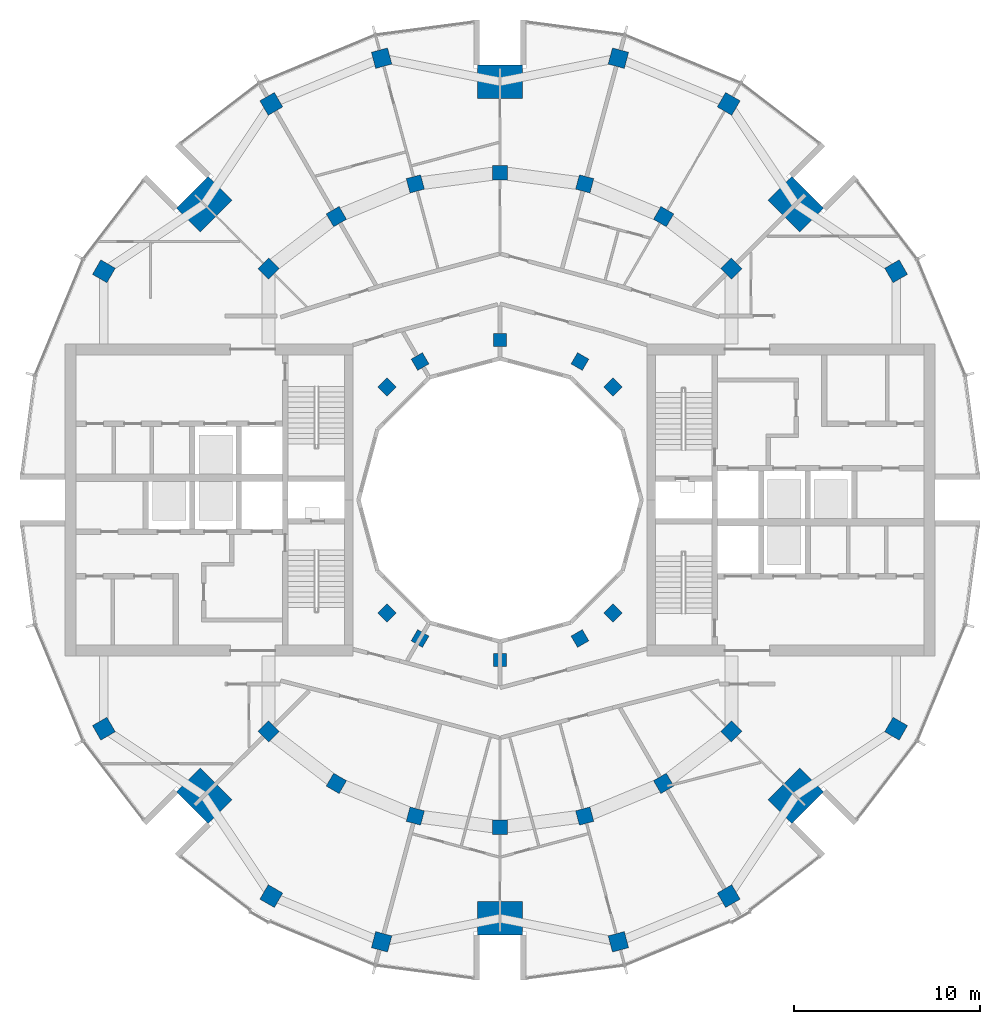
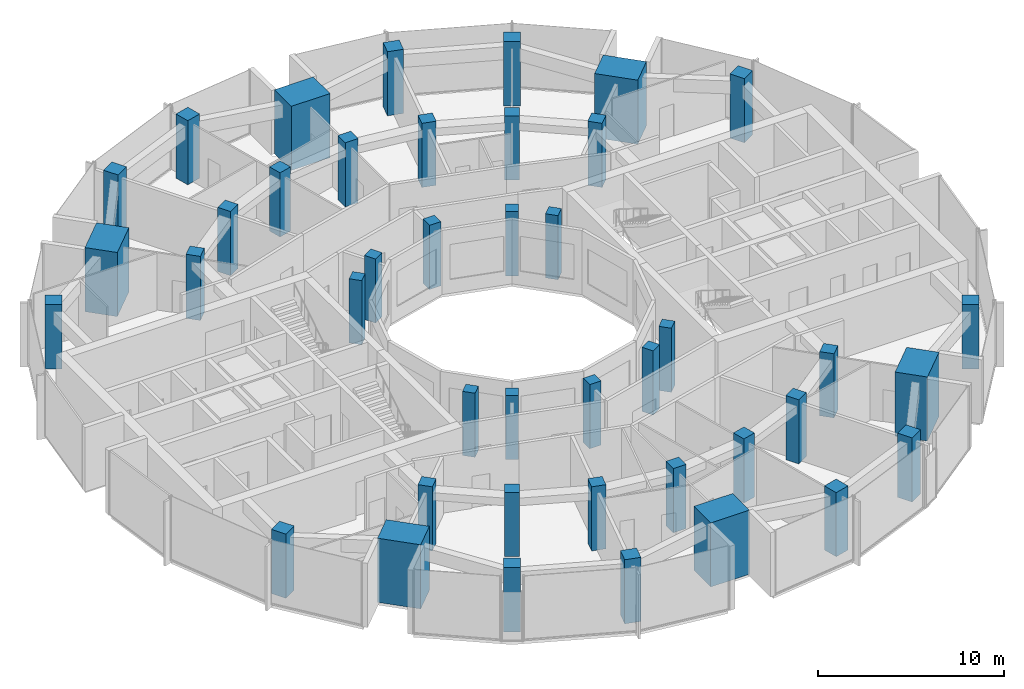
# One storey, part 1 of 15: 42 columns.
"""IFC4 building model written with IfcOpenShell, lengths in metres."""

from ifc_helpers import new_model, si_unit, direction, frame, origin, origin_2d, place, context, subcontext, project, spatial, rectangle, extrude, material, material_profile, profile_set, type_object, element, save


model = new_model("IFC4")

# Units and contexts
model_context = context("Model", 3, precision=1e-05, world=origin(), true_north=direction((0.0, 1.0)))
body_context = subcontext(model_context, "Body", "Model", "MODEL_VIEW")
ifc_project = project(units=[si_unit("LENGTHUNIT", "METRE"), si_unit("AREAUNIT", "SQUARE_METRE"), si_unit("VOLUMEUNIT", "CUBIC_METRE"), si_unit("PLANEANGLEUNIT", "RADIAN"), si_unit("MASSUNIT", "GRAM", prefix="KILO")], contexts=[model_context])

# Site, building, storey
site_placement = place(None, origin())
site = spatial("IfcSite", under=ifc_project, at=site_placement, CompositionType="ELEMENT")
building_placement = place(site_placement, origin())
building = spatial("IfcBuilding", under=site, at=building_placement, Name="Torre Brocal", CompositionType="ELEMENT")
storey_placement = place(building_placement, frame((0.0, 0.0, 266.699951171875)))
storey = spatial("IfcBuildingStorey", under=building, at=storey_placement, Name="L61", CompositionType="ELEMENT", Elevation=266.699951171875)

# Columns
ifc_material_1 = material(Name="Concrete C60", Category="concrete")
ifc_material_profile_1 = material_profile(ifc_material_1, rectangle(XDim=1.800048828125, YDim=2.39990234375, at=origin_2d()), Name="RC 1800X2400")
ifc_profile_set_1 = profile_set([ifc_material_profile_1], Name="Concrete C60")
column_type_1 = type_object("IfcColumnType", Name="RC COLUMN 1800X2400 C60", PredefinedType="COLUMN", material=ifc_profile_set_1)
for number, where, z_axis, x_axis, name in (
    (1, (95.909912109375, 90.909912109375, 0.0), (0.0, 0.0, 1.0), (0.707106781187, 0.707106781187, 0.0), "Column MC-1"),
    (2, (80.0, 97.5, 0.0), (0.0, 0.0, 1.0), (0.0, 1.0, 0.0), "Column MC-2"),
    (3, (64.090087890625, 90.909912109375, 0.0), (0.0, 0.0, 1.0), (-0.707106781187, 0.707106781187, 0.0), "Column MC-3"),
    (4, (64.090087890625, 59.090087890625, 0.0), (0.0, 0.0, 1.0), (-0.707106781187, -0.707106781187, 0.0), "Column MC-5"),
    (5, (80.0, 52.5, 0.0), (0.0, 0.0, 1.0), (0.0, -1.0, 0.0), "Column MC-6"),
    (6, (95.909912109375, 59.090087890625, 0.0), (0.0, 0.0, 1.0), (0.707106781187, -0.707106781187, 0.0), "Column MC-7"),
):
    element("IfcColumn", number, at=place(storey_placement, frame(where, z_axis=z_axis, x_axis=x_axis)), inside=storey, type_object=column_type_1, Name=name, PredefinedType="COLUMN", context=body_context, shape_type="SweptSolid", body=[
        extrude(rectangle(XDim=1.800048828125, YDim=2.39990234375, at=origin_2d()), origin(), (0.0, 0.0, 1.0), 4.199951171875),
    ])
ifc_material_2 = material(Name="Concrete C60", Category="concrete")
ifc_material_profile_2 = material_profile(ifc_material_2, rectangle(XDim=0.699951171875, YDim=0.699951171875, at=origin_2d()), Name="RC 700X700")
ifc_profile_set_2 = profile_set([ifc_material_profile_2], Name="Concrete C60")
column_type_2 = type_object("IfcColumnType", Name="RC COLUMN 700X700 C60", PredefinedType="COLUMN", material=ifc_profile_set_2)
for number, where, z_axis, x_axis, name in (
    (7, (86.0810546875, 81.0810546875, 0.0), (0.0, 0.0, 1.0), (0.707106781187, 0.707106781187, 0.0), "Column C-I03"),
    (8, (84.300048828125, 82.44775390625, 0.0), (0.0, 0.0, 1.0), (0.5, 0.866025403784, 0.0), "Column C-I04"),
    (9, (80.0, 83.60009765625, 0.0), (0.0, 0.0, 1.0), (0.0, 1.0, 0.0), "Column C-I06"),
    (10, (75.699951171875, 82.44775390625, 0.0), (0.0, 0.0, 1.0), (-0.5, 0.866025403784, 0.0), "Column C-I08"),
    (11, (73.9189453125, 81.0810546875, 0.0), (0.0, 0.0, 1.0), (-0.707106781187, 0.707106781187, 0.0), "Column C-I09"),
    (12, (73.9189453125, 68.9189453125, 0.0), (0.0, 0.0, 1.0), (-0.707106781187, -0.707106781187, 0.0), "Column C-I15"),
    (13, (75.699951171875, 67.55224609375, 0.0), (0.0, 0.0, 1.0), (-0.5, -0.866025403784, 0.0), "Column C-I16"),
    (14, (80.0, 66.39990234375, 0.0), (0.0, 0.0, 1.0), (0.0, -1.0, 0.0), "Column C-I18"),
    (15, (84.300048828125, 67.55224609375, 0.0), (0.0, 0.0, 1.0), (0.5, -0.866025403784, 0.0), "Column C-I20"),
    (16, (86.0810546875, 68.9189453125, 0.0), (0.0, 0.0, 1.0), (0.707106781187, -0.707106781187, 0.0), "Column C-I21"),
):
    element("IfcColumn", number, at=place(storey_placement, frame(where, z_axis=z_axis, x_axis=x_axis)), inside=storey, type_object=column_type_2, Name=name, PredefinedType="COLUMN", context=body_context, shape_type="SweptSolid", body=[
        extrude(rectangle(XDim=0.699951171875, YDim=0.699951171875, at=origin_2d()), origin(), (0.0, 0.0, 1.0), 4.199951171875),
    ])
ifc_material_3 = material(Name="Concrete C60", Category="concrete")
ifc_material_profile_3 = material_profile(ifc_material_3, rectangle(XDim=0.800048828125, YDim=0.800048828125, at=origin_2d()), Name="RC 800X800")
ifc_profile_set_3 = profile_set([ifc_material_profile_3], Name="Concrete C60")
column_type_3 = type_object("IfcColumnType", Name="RC COLUMN 800X800 C60", PredefinedType="COLUMN", material=ifc_profile_set_3)
for number, where, z_axis, x_axis, name in (
    (17, (92.445068359375, 87.445068359375, 0.0), (0.0, 0.0, 1.0), (0.707106781187, 0.707106781187, 0.0), "Column C-M03"),
    (18, (88.800048828125, 90.241943359375, 0.0), (0.0, 0.0, 1.0), (0.5, 0.866025403784, 0.0), "Column C-M04"),
    (19, (84.55517578125, 92.000244140625, 0.0), (0.0, 0.0, 1.0), (0.258819045103, 0.965925826289, 0.0), "Column C-M05"),
    (20, (80.0, 92.60009765625, 0.0), (0.0, 0.0, 1.0), (0.0, 1.0, 0.0), "Column C-M06"),
    (21, (75.44482421875, 92.000244140625, 0.0), (0.0, 0.0, 1.0), (-0.258819045103, 0.965925826289, 0.0), "Column C-M07"),
    (22, (71.199951171875, 90.241943359375, 0.0), (0.0, 0.0, 1.0), (-0.5, 0.866025403784, 0.0), "Column C-M08"),
    (23, (67.554931640625, 87.445068359375, 0.0), (0.0, 0.0, 1.0), (-0.707106781187, 0.707106781187, 0.0), "Column C-M09"),
    (24, (67.554931640625, 62.554931640625, 0.0), (0.0, 0.0, 1.0), (-0.707106781187, -0.707106781187, 0.0), "Column C-M15"),
    (25, (71.199951171875, 59.758056640625, 0.0), (0.0, 0.0, 1.0), (-0.5, -0.866025403784, 0.0), "Column C-M16"),
    (26, (75.44482421875, 57.999755859375, 0.0), (0.0, 0.0, 1.0), (-0.258819045103, -0.965925826289, 0.0), "Column C-M17"),
    (27, (80.0, 57.39990234375, 0.0), (0.0, 0.0, 1.0), (0.0, -1.0, 0.0), "Column C-M18"),
    (28, (84.55517578125, 57.999755859375, 0.0), (0.0, 0.0, 1.0), (0.258819045103, -0.965925826289, 0.0), "Column C-M19"),
    (29, (88.800048828125, 59.758056640625, 0.0), (0.0, 0.0, 1.0), (0.5, -0.866025403784, 0.0), "Column C-M20"),
    (30, (92.445068359375, 62.554931640625, 0.0), (0.0, 0.0, 1.0), (0.707106781187, -0.707106781187, 0.0), "Column C-M21"),
):
    element("IfcColumn", number, at=place(storey_placement, frame(where, z_axis=z_axis, x_axis=x_axis)), inside=storey, type_object=column_type_3, Name=name, PredefinedType="COLUMN", context=body_context, shape_type="SweptSolid", body=[
        extrude(rectangle(XDim=0.800048828125, YDim=0.800048828125, at=origin_2d()), origin(), (0.0, 0.0, 1.0), 4.199951171875),
    ])
ifc_material_4 = material(Name="Concrete C60", Category="concrete")
ifc_material_profile_4 = material_profile(ifc_material_4, rectangle(XDim=0.89990234375, YDim=0.89990234375, at=origin_2d()), Name="RC 900X900")
ifc_profile_set_4 = profile_set([ifc_material_profile_4], Name="Concrete C60")
column_type_4 = type_object("IfcColumnType", Name="RC COLUMN 900X900 C60", PredefinedType="COLUMN", material=ifc_profile_set_4)
for number, where, z_axis, x_axis, name in (
    (31, (101.30419921875, 87.300048828125, 0.0), (0.0, 0.0, 1.0), (0.866025403784, 0.5, 0.0), "Column C-O02"),
    (32, (92.300048828125, 96.30419921875, 0.0), (0.0, 0.0, 1.0), (0.5, 0.866025403784, 0.0), "Column C-O04"),
    (33, (86.366943359375, 98.76171875, 0.0), (0.0, 0.0, 1.0), (0.258819045103, 0.965925826289, 0.0), "Column C-O05"),
    (34, (73.633056640625, 98.76171875, 0.0), (0.0, 0.0, 1.0), (-0.258819045103, 0.965925826289, 0.0), "Column C-O07"),
    (35, (67.699951171875, 96.30419921875, 0.0), (0.0, 0.0, 1.0), (-0.5, 0.866025403784, 0.0), "Column C-O08"),
    (36, (58.69580078125, 87.300048828125, 0.0), (0.0, 0.0, 1.0), (-0.866025403784, 0.5, 0.0), "Column C-O10"),
    (37, (58.69580078125, 62.699951171875, 0.0), (0.0, 0.0, 1.0), (-0.866025403784, -0.5, 0.0), "Column C-O14"),
    (38, (67.699951171875, 53.69580078125, 0.0), (0.0, 0.0, 1.0), (-0.5, -0.866025403784, 0.0), "Column C-O16"),
    (39, (73.633056640625, 51.23828125, 0.0), (0.0, 0.0, 1.0), (-0.258819045103, -0.965925826289, 0.0), "Column C-O17"),
    (40, (86.366943359375, 51.23828125, 0.0), (0.0, 0.0, 1.0), (0.258819045103, -0.965925826289, 0.0), "Column C-O19"),
    (41, (92.300048828125, 53.69580078125, 0.0), (0.0, 0.0, 1.0), (0.5, -0.866025403784, 0.0), "Column C-O20"),
    (42, (101.30419921875, 62.699951171875, 0.0), (0.0, 0.0, 1.0), (0.866025403784, -0.5, 0.0), "Column C-O22"),
):
    element("IfcColumn", number, at=place(storey_placement, frame(where, z_axis=z_axis, x_axis=x_axis)), inside=storey, type_object=column_type_4, Name=name, PredefinedType="COLUMN", context=body_context, shape_type="SweptSolid", body=[
        extrude(rectangle(XDim=0.89990234375, YDim=0.89990234375, at=origin_2d()), origin(), (0.0, 0.0, 1.0), 4.199951171875),
    ])

save(model, "model.ifc")
